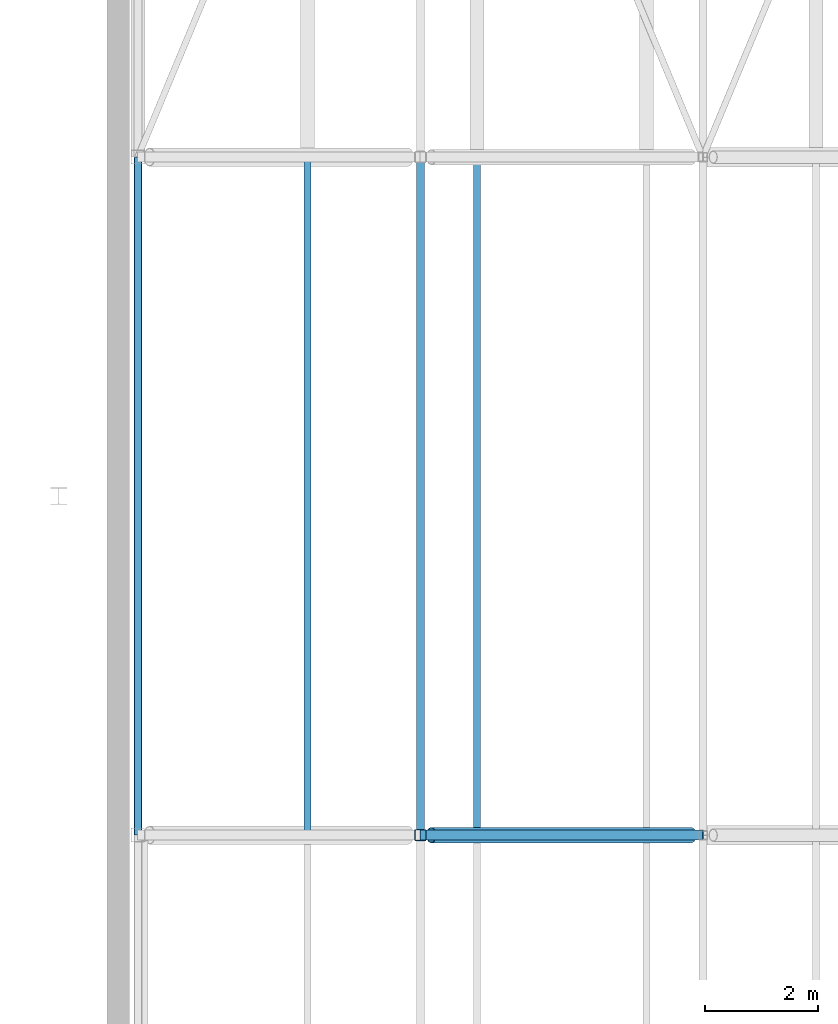
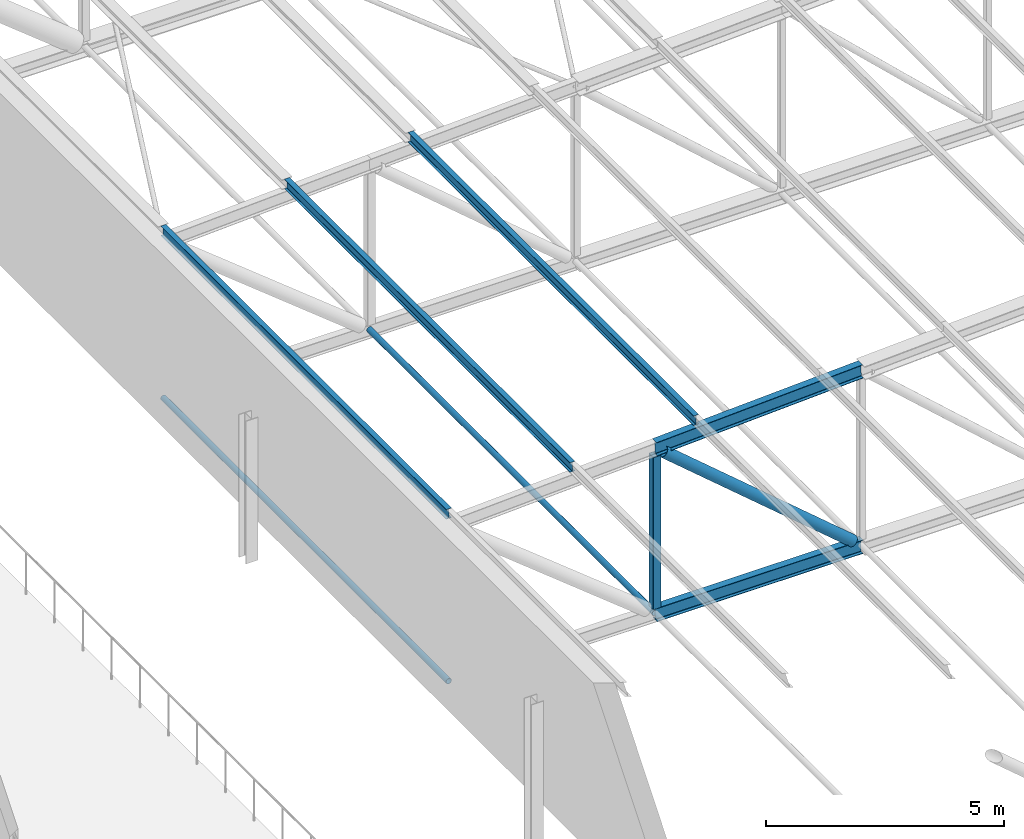
# One storey, part 53 of 156: 9 members.
"""IFC4 building model written with IfcOpenShell, lengths in metres."""

from ifc_helpers import new_model, si_unit, direction, frame, origin, origin_2d, place, context, subcontext, project, spatial, hollow_rectangle, hollow_circle, i_section, extrude, material, material_profile, profile_set, type_object, element, save


model = new_model("IFC4")

# Units and contexts
model_context = context("Model", 3, precision=1e-05, world=origin(), true_north=direction((0.0, 1.0)))
body_context = subcontext(model_context, "Body", "Model", "MODEL_VIEW")
ifc_project = project(units=[si_unit("LENGTHUNIT", "METRE"), si_unit("AREAUNIT", "SQUARE_METRE"), si_unit("VOLUMEUNIT", "CUBIC_METRE"), si_unit("PLANEANGLEUNIT", "RADIAN"), si_unit("MASSUNIT", "GRAM", prefix="KILO")], contexts=[model_context])

# Site, building, storey
site_placement = place(None, origin())
site = spatial("IfcSite", under=ifc_project, at=site_placement, CompositionType="ELEMENT")
building_placement = place(site_placement, origin())
building = spatial("IfcBuilding", under=site, at=building_placement, Name="Lilac Gate Convention Centre", CompositionType="ELEMENT")
storey_placement = place(building_placement, frame((0.0, 0.0, 17.0)))
storey = spatial("IfcBuildingStorey", under=building, at=storey_placement, Name="L03", CompositionType="ELEMENT", Elevation=17.0)

# Members
ifc_material = material(Name="Steel Q355B", Category="steel")
ifc_material_profile_1 = material_profile(ifc_material, hollow_circle(Radius=0.06982421875, WallThickness=0.0048828125, at=origin_2d()), Name="CHS139.7x5")
ifc_profile_set_1 = profile_set([ifc_material_profile_1], Name="Steel Q355B")
member_type_1 = type_object("IfcMemberType", Name="Bottom chord tie CHS139.7x5", PredefinedType="STRUT", material=ifc_profile_set_1)
for number, where, z_axis, x_axis, name in (
    (1, (30.0, 114.00341796875, 0.0), (0.0, 1.0, 0.0), (-1.0, 0.0, 0.0), "ST1 tie bay 8 node 1"),
    (2, (35.0, 114.00341796875, 0.0), (0.0, 1.0, 0.0), (-1.0, 0.0, 0.0), "ST1 tie bay 8 node 2"),
):
    element("IfcMember", number, at=place(storey_placement, frame(where, z_axis=z_axis, x_axis=x_axis)), inside=storey, type_object=member_type_1, Name=name, PredefinedType="STRUT", context=body_context, shape_type="SweptSolid", body=[
        extrude(hollow_circle(Radius=0.06982421875, WallThickness=0.0048828125, at=origin_2d()), origin(), (0.0, 0.0, 1.0), 11.9931640625),
    ])
ifc_material_profile_2 = material_profile(ifc_material, i_section(OverallWidth=0.125, OverallDepth=0.25, WebThickness=0.006103515625, FlangeThickness=0.009033203125, FilletRadius=0.008056640625, at=origin_2d()), Name="HN250x125x6x9")
ifc_profile_set_2 = profile_set([ifc_material_profile_2], Name="Steel Q355B")
member_type_2 = type_object("IfcMemberType", Name="Roof purlin HN250x125x6x9", PredefinedType="PURLIN", material=ifc_profile_set_2)
for number, where, z_axis, x_axis, name in (
    (3, (30.0, 114.0, 4.30029296875), (0.0, 1.0, 0.0), (-1.0, 0.0, 0.0), "PU2 purlin bay 8 line 1"),
    (4, (33.0, 114.0, 4.4501953125), (0.0, 1.0, 0.0), (-1.0, 0.0, 0.0), "PU2 purlin bay 8 line 2"),
    (5, (36.0, 114.0, 4.60009765625), (0.0, 1.0, 0.0), (-1.0, 0.0, 0.0), "PU2 purlin bay 8 line 3"),
):
    element("IfcMember", number, at=place(storey_placement, frame(where, z_axis=z_axis, x_axis=x_axis)), inside=storey, type_object=member_type_2, Name=name, PredefinedType="PURLIN", context=body_context, shape_type="SweptSolid", body=[
        extrude(i_section(OverallWidth=0.125, OverallDepth=0.25, WebThickness=0.006103515625, FlangeThickness=0.009033203125, FilletRadius=0.008056640625, at=origin_2d()), origin(), (0.0, 0.0, 1.0), 12.0),
    ])
ifc_material_profile_3 = material_profile(ifc_material, i_section(OverallWidth=0.175048828125, OverallDepth=0.35009765625, WebThickness=0.007080078125, FlangeThickness=0.010986328125, FilletRadius=0.012939453125, at=origin_2d()), Name="HN350x175x7x11")
ifc_profile_set_3 = profile_set([ifc_material_profile_3], Name="Steel Q355B")
member_type_3 = type_object("IfcMemberType", Name="Truss bottom chord HN350x175x7x11", PredefinedType="CHORD", material=ifc_profile_set_3)
member_1_placement = place(storey_placement, frame((35.0, 114.0, 0.0), z_axis=(1.0, 0.0, 0.0), x_axis=(0.0, 1.0, 0.0)))
element("IfcMember", 6, at=member_1_placement, inside=storey, type_object=member_type_3, Name="TB1 truss 8 bottom chord 2", PredefinedType="CHORD", context=body_context, shape_type="SweptSolid", body=[
    extrude(i_section(OverallWidth=0.175048828125, OverallDepth=0.35009765625, WebThickness=0.007080078125, FlangeThickness=0.010986328125, FilletRadius=0.012939453125, at=origin_2d()), origin(), (0.0, 0.0, 1.0), 5.0),
])
ifc_material_profile_4 = material_profile(ifc_material, hollow_circle(Radius=0.136474609375, WallThickness=0.010009765625, at=origin_2d()), Name="CHS273x10")
ifc_profile_set_4 = profile_set([ifc_material_profile_4], Name="Steel Q355B")
member_type_4 = type_object("IfcMemberType", Name="Truss diagonal CHS273x10", PredefinedType="BRACE", material=ifc_profile_set_4)
member_2_placement = place(storey_placement, frame((35.193115234375, 114.0, 4.085693359375), z_axis=(0.761961263863, 0.0, -0.647622600263), x_axis=(0.0, 1.0, 0.0)))
element("IfcMember", 7, at=member_2_placement, inside=storey, type_object=member_type_4, Name="TW2 truss 8 diagonal 2", PredefinedType="BRACE", context=body_context, shape_type="SweptSolid", body=[
    extrude(hollow_circle(Radius=0.136474609375, WallThickness=0.010009765625, at=origin_2d()), origin(), (0.0, 0.0, 1.0), 6.03857421875),
])
ifc_material_profile_5 = material_profile(ifc_material, i_section(OverallWidth=0.175048828125, OverallDepth=0.35009765625, WebThickness=0.007080078125, FlangeThickness=0.010986328125, FilletRadius=0.012939453125, at=origin_2d()), Name="HN350x175x7x11")
ifc_profile_set_5 = profile_set([ifc_material_profile_5], Name="Steel Q355B")
member_type_5 = type_object("IfcMemberType", Name="Truss top chord HN350x175x7x11", PredefinedType="CHORD", material=ifc_profile_set_5)
member_3_placement = place(storey_placement, frame((35.0, 114.0, 4.25), z_axis=(0.998752338878, 0.0, 0.049937616944), x_axis=(0.0, 1.0, 0.0)))
element("IfcMember", 8, at=member_3_placement, inside=storey, type_object=member_type_5, Name="TT1 truss 8 top chord 2", PredefinedType="CHORD", context=body_context, shape_type="SweptSolid", body=[
    extrude(i_section(OverallWidth=0.175048828125, OverallDepth=0.35009765625, WebThickness=0.007080078125, FlangeThickness=0.010986328125, FilletRadius=0.012939453125, at=origin_2d()), origin(), (0.0, 0.0, 1.0), 5.00634765625),
])
ifc_material_profile_6 = material_profile(ifc_material, hollow_rectangle(XDim=0.199951171875, YDim=0.199951171875, WallThickness=0.008056640625, InnerFilletRadius=0.011962890625, OuterFilletRadius=0.02001953125, at=origin_2d()), Name="SHS200x200x8")
ifc_profile_set_6 = profile_set([ifc_material_profile_6], Name="Steel Q355B")
member_type_6 = type_object("IfcMemberType", Name="Truss vertical SHS200x200x8", PredefinedType="STRUT", material=ifc_profile_set_6)
member_4_placement = place(storey_placement, frame((35.0, 114.0, 0.175048828125), z_axis=(0.0, 0.0, 1.0), x_axis=(1.0, 0.0, 0.0)))
element("IfcMember", 9, at=member_4_placement, inside=storey, type_object=member_type_6, Name="TV2 truss 8 vertical 2", PredefinedType="STRUT", context=body_context, shape_type="SweptSolid", body=[
    extrude(hollow_rectangle(XDim=0.199951171875, YDim=0.199951171875, WallThickness=0.008056640625, InnerFilletRadius=0.011962890625, OuterFilletRadius=0.02001953125, at=origin_2d()), origin(), (0.0, 0.0, 1.0), 3.899658203125),
])

save(model, "model.ifc")
